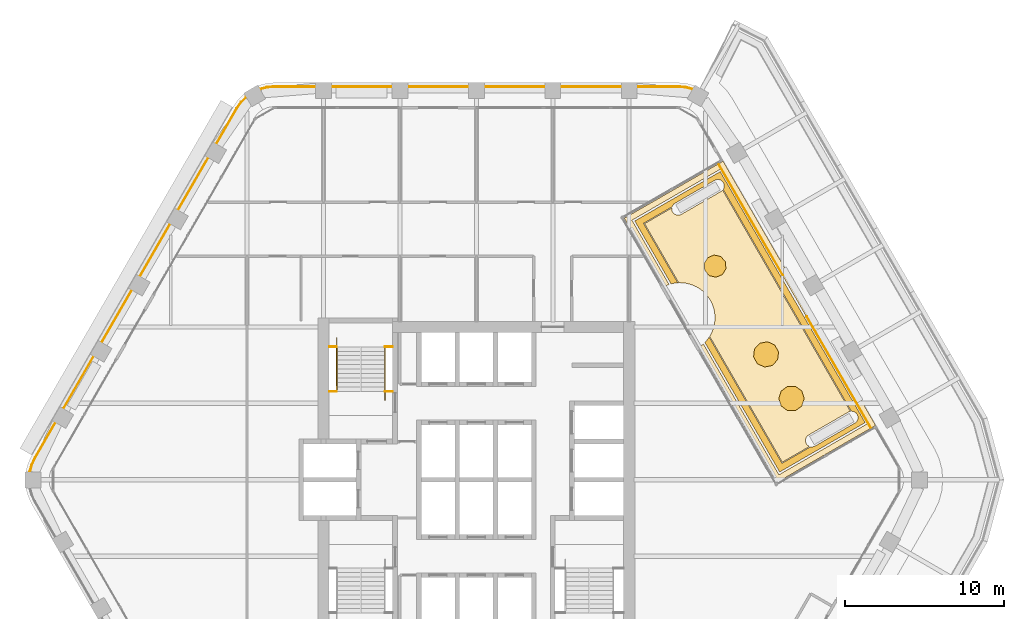
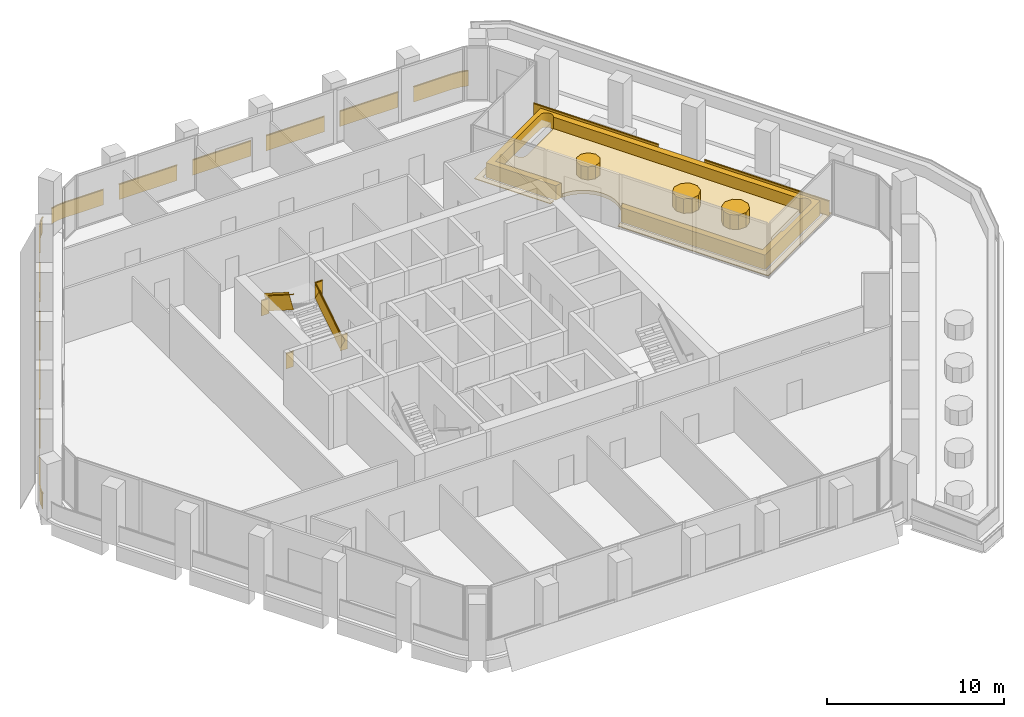
# One storey, part 17 of 17: 6 coverings, 5 railings.
"""IFC4 building model written with IfcOpenShell, lengths in metres."""

from ifc_helpers import new_model, si_unit, direction, frame, frame_2d, origin, origin_2d, place, context, subcontext, project, spatial, polyline, rectangle, outline, extrude, material, layer, layer_set, type_object, element, save


model = new_model("IFC4")

# Units and contexts
model_context = context("Model", 3, precision=1e-05, world=origin(), true_north=direction((0.0, 1.0)))
body_context = subcontext(model_context, "Body", "Model", "MODEL_VIEW")
ifc_project = project(units=[si_unit("LENGTHUNIT", "METRE"), si_unit("AREAUNIT", "SQUARE_METRE"), si_unit("VOLUMEUNIT", "CUBIC_METRE"), si_unit("PLANEANGLEUNIT", "RADIAN"), si_unit("MASSUNIT", "GRAM", prefix="KILO")], contexts=[model_context])

# Site, building, storey
site_placement = place(None, origin())
site = spatial("IfcSite", under=ifc_project, at=site_placement, CompositionType="ELEMENT")
building_placement = place(site_placement, origin())
building = spatial("IfcBuilding", under=site, at=building_placement, Name="Kolab Exchange Tower", CompositionType="ELEMENT")
storey_placement = place(building_placement, frame((0.0, 0.0, 181.699951171875)))
storey = spatial("IfcBuildingStorey", under=building, at=storey_placement, Name="L38", CompositionType="ELEMENT", Elevation=181.699951171875)

# Coverings
ifc_material_1 = material(Name="Flowering shrub planting", Category="soil")
ifc_layer_1 = layer(ifc_material_1, 1.0)
ifc_layer_set_1 = layer_set([ifc_layer_1], Name="Flowering shrub planting")
covering_type_1 = type_object("IfcCoveringType", Name="FLOWERING SHRUB PLANTING", PredefinedType="USERDEFINED", material=ifc_layer_set_1)
covering_1_placement = place(storey_placement, frame((0.0, 0.0, 0.25)))
element("IfcCovering", 1, at=covering_1_placement, inside=storey, type_object=covering_type_1, Name="Flowering shrub", ObjectType="PLANTING", PredefinedType="USERDEFINED", context=body_context, shape_type="SweptSolid", body=[
    extrude(outline(polyline([(20.5927734375, 5.105224609375), (20.43994140625, 5.575439453125), (20.0400390625, 5.8662109375), (19.54541015625, 5.8662109375), (19.1455078125, 5.575439453125), (18.99267578125, 5.105224609375), (19.1455078125, 4.635009765625), (19.54541015625, 4.344482421875), (20.0400390625, 4.344482421875), (20.43994140625, 4.635009765625), (20.5927734375, 5.105224609375)])), origin(), (0.0, 0.0, 1.0), 1.0),
])
covering_2_placement = place(storey_placement, frame((0.0, 0.0, 0.25)))
element("IfcCovering", 2, at=covering_2_placement, inside=storey, type_object=covering_type_1, Name="Flowering shrub", ObjectType="PLANTING", PredefinedType="USERDEFINED", context=body_context, shape_type="SweptSolid", body=[
    extrude(outline(polyline([(18.976806640625, 8.035400390625), (18.733642578125, 8.4658203125), (18.283935546875, 8.671142578125), (17.79931640625, 8.572998046875), (17.465087890625, 8.208740234375), (17.40869140625, 7.717529296875), (17.65185546875, 7.287109375), (18.1015625, 7.081787109375), (18.586181640625, 7.179931640625), (18.92041015625, 7.544189453125), (18.976806640625, 8.035400390625)])), origin(), (0.0, 0.0, 1.0), 1.0),
])

# Railings
ifc_material_2 = material(Name="Stainless steel 316", Category="steel")
railing_type_1 = type_object("IfcRailingType", Name="GUARD 1100", PredefinedType="GUARDRAIL", material=ifc_material_2)
railing_1_placement = place(storey_placement, frame((-9.25, 5.550048828125, 0.0)))
element("IfcRailing", 3, at=railing_1_placement, inside=storey, type_object=railing_type_1, Name="Guard ST1", PredefinedType="GUARDRAIL", context=body_context, shape_type="SweptSolid", body=[
    extrude(rectangle(XDim=0.05, YDim=0.05, at=origin_2d()), frame((0.0, 0.0, 1.0751953125), z_axis=(1.0, 0.0, 0.0), x_axis=(0.0, 1.0, 0.0)), (0.0, 0.0, 1.0), 0.489990234375),
    extrude(rectangle(XDim=0.012, YDim=1.05009765625, at=frame_2d((0.0, 0.525146484375))), frame((0.0, 0.0, 0.0), z_axis=(1.0, 0.0, 0.0), x_axis=(0.0, 1.0, 0.0)), (0.0, 0.0, 1.0), 0.489990234375),
    extrude(rectangle(XDim=0.05, YDim=0.05, at=origin_2d()), frame((3.510009765625, 0.0, 1.0751953125), z_axis=(1.0, 0.0, 0.0), x_axis=(0.0, 1.0, 0.0)), (0.0, 0.0, 1.0), 0.489990234375),
    extrude(rectangle(XDim=0.012, YDim=1.05009765625, at=frame_2d((0.0, 0.525146484375))), frame((3.510009765625, 0.0, 0.0), z_axis=(1.0, 0.0, 0.0), x_axis=(0.0, 1.0, 0.0)), (0.0, 0.0, 1.0), 0.489990234375),
    extrude(rectangle(XDim=0.05, YDim=0.05, at=origin_2d()), frame((0.0, 2.800048828125, 3.025146484375), z_axis=(1.0, 0.0, 0.0), x_axis=(0.0, 1.0, 0.0)), (0.0, 0.0, 1.0), 0.489990234375),
    extrude(rectangle(XDim=0.012, YDim=1.05009765625, at=frame_2d((0.0, 0.525146484375))), frame((0.0, 2.800048828125, 1.949951171875), z_axis=(1.0, 0.0, 0.0), x_axis=(0.0, 1.0, 0.0)), (0.0, 0.0, 1.0), 0.489990234375),
    extrude(rectangle(XDim=0.05, YDim=0.05, at=origin_2d()), frame((3.510009765625, 2.800048828125, 3.025146484375), z_axis=(1.0, 0.0, 0.0), x_axis=(0.0, 1.0, 0.0)), (0.0, 0.0, 1.0), 0.489990234375),
    extrude(rectangle(XDim=0.012, YDim=1.05009765625, at=frame_2d((0.0, 0.525146484375))), frame((3.510009765625, 2.800048828125, 1.949951171875), z_axis=(1.0, 0.0, 0.0), x_axis=(0.0, 1.0, 0.0)), (0.0, 0.0, 1.0), 0.489990234375),
])
railing_2_placement = place(storey_placement, frame((-5.739990234375, 5.550048828125, 0.17724609375)))
element("IfcRailing", 4, at=railing_2_placement, inside=storey, type_object=railing_type_1, Name="Handrail guard ST1", PredefinedType="GUARDRAIL", context=body_context, shape_type="SweptSolid", body=[
    extrude(rectangle(XDim=0.05, YDim=0.05, at=origin_2d()), frame((0.0, 0.0, 1.0751953125), z_axis=(0.0, 0.844908973607, 0.534910110503), x_axis=(-1.0, 0.0, 0.0)), (0.0, 0.0, 1.0), 3.31396484375),
    extrude(rectangle(XDim=0.012, YDim=1.05009765625, at=frame_2d((0.0, 0.525146484375))), frame((0.0, 0.0, 0.0), z_axis=(0.0, 0.844908973607, 0.534910110503), x_axis=(-1.0, 0.0, 0.0)), (0.0, 0.0, 1.0), 3.31396484375),
    extrude(rectangle(XDim=0.05, YDim=0.05, at=origin_2d()), frame((-3.02001953125, 2.800048828125, 3.025390625), z_axis=(0.0, -0.844908973607, 0.534910110503), x_axis=(1.0, 0.0, 0.0)), (0.0, 0.0, 1.0), 3.31396484375),
    extrude(rectangle(XDim=0.012, YDim=1.05009765625, at=frame_2d((0.0, 0.525146484375))), frame((-3.02001953125, 2.800048828125, 1.9501953125), z_axis=(0.0, -0.844908973607, 0.534910110503), x_axis=(1.0, 0.0, 0.0)), (0.0, 0.0, 1.0), 3.31396484375),
])
ifc_material_3 = material(Name="Steel S235", Category="steel")
railing_type_2 = type_object("IfcRailingType", Name="GUARD 1100 GLASS BALUSTRADE AND STEEL TOP RAIL", PredefinedType="GUARDRAIL", material=ifc_material_3)
railing_3_placement = place(storey_placement, frame((13.588623046875, 24.531005859375, 0.0)))
element("IfcRailing", 5, at=railing_3_placement, inside=storey, type_object=railing_type_2, Name="Guard", PredefinedType="GUARDRAIL", context=body_context, shape_type="SweptSolid", body=[
    extrude(rectangle(XDim=0.05, YDim=0.05, at=origin_2d()), frame((0.0, 0.0, 1.0751953125), z_axis=(-0.965969425465, 0.25865627591, 0.0), x_axis=(-0.25865627591, -0.965969425465, 0.0)), (0.0, 0.0, 1.0), 0.458740234375),
    extrude(rectangle(XDim=0.012, YDim=1.05009765625, at=frame_2d((0.0, 0.525146484375))), frame((0.0, 0.0, 0.0), z_axis=(-0.965969425465, 0.25865627591, 0.0), x_axis=(-0.25865627591, -0.965969425465, 0.0)), (0.0, 0.0, 1.0), 0.458740234375),
    extrude(rectangle(XDim=0.05, YDim=0.05, at=origin_2d()), frame((-0.443115234375, 0.11865234375, 1.0751953125), z_axis=(-0.996156034798, 0.087596542937, 0.0), x_axis=(-0.087596542937, -0.996156034798, 0.0)), (0.0, 0.0, 1.0), 0.4794921875),
    extrude(rectangle(XDim=0.012, YDim=1.05009765625, at=frame_2d((0.0, 0.525146484375))), frame((-0.443115234375, 0.11865234375, 0.0), z_axis=(-0.996156034798, 0.087596542937, 0.0), x_axis=(-0.087596542937, -0.996156034798, 0.0)), (0.0, 0.0, 1.0), 0.4794921875),
    extrude(rectangle(XDim=0.05, YDim=0.05, at=origin_2d()), frame((-0.920654296875, 0.16064453125, 1.0751953125), z_axis=(-1.0, 0.0, 0.0), x_axis=(0.0, -1.0, 0.0)), (0.0, 0.0, 1.0), 2.56787109375),
    extrude(rectangle(XDim=0.012, YDim=1.05009765625, at=frame_2d((0.0, 0.525146484375))), frame((-0.920654296875, 0.16064453125, 0.0), z_axis=(-1.0, 0.0, 0.0), x_axis=(0.0, -1.0, 0.0)), (0.0, 0.0, 1.0), 2.56787109375),
    extrude(rectangle(XDim=0.05, YDim=0.05, at=origin_2d()), frame((-4.488525390625, 0.16064453125, 1.0751953125), z_axis=(-1.0, 0.0, 0.0), x_axis=(0.0, -1.0, 0.0)), (0.0, 0.0, 1.0), 3.800048828125),
    extrude(rectangle(XDim=0.012, YDim=1.05009765625, at=frame_2d((0.0, 0.525146484375))), frame((-4.488525390625, 0.16064453125, 0.0), z_axis=(-1.0, 0.0, 0.0), x_axis=(0.0, -1.0, 0.0)), (0.0, 0.0, 1.0), 3.800048828125),
    extrude(rectangle(XDim=0.05, YDim=0.05, at=origin_2d()), frame((-9.28857421875, 0.16064453125, 1.0751953125), z_axis=(-1.0, 0.0, 0.0), x_axis=(0.0, -1.0, 0.0)), (0.0, 0.0, 1.0), 3.800048828125),
    extrude(rectangle(XDim=0.012, YDim=1.05009765625, at=frame_2d((0.0, 0.525146484375))), frame((-9.28857421875, 0.16064453125, 0.0), z_axis=(-1.0, 0.0, 0.0), x_axis=(0.0, -1.0, 0.0)), (0.0, 0.0, 1.0), 3.800048828125),
    extrude(rectangle(XDim=0.05, YDim=0.05, at=origin_2d()), frame((-14.088623046875, 0.16064453125, 1.0751953125), z_axis=(-1.0, 0.0, 0.0), x_axis=(0.0, -1.0, 0.0)), (0.0, 0.0, 1.0), 3.800048828125),
    extrude(rectangle(XDim=0.012, YDim=1.05009765625, at=frame_2d((0.0, 0.525146484375))), frame((-14.088623046875, 0.16064453125, 0.0), z_axis=(-1.0, 0.0, 0.0), x_axis=(0.0, -1.0, 0.0)), (0.0, 0.0, 1.0), 3.800048828125),
    extrude(rectangle(XDim=0.05, YDim=0.05, at=origin_2d()), frame((-18.888671875, 0.16064453125, 1.0751953125), z_axis=(-1.0, 0.0, 0.0), x_axis=(0.0, -1.0, 0.0)), (0.0, 0.0, 1.0), 3.800048828125),
    extrude(rectangle(XDim=0.012, YDim=1.05009765625, at=frame_2d((0.0, 0.525146484375))), frame((-18.888671875, 0.16064453125, 0.0), z_axis=(-1.0, 0.0, 0.0), x_axis=(0.0, -1.0, 0.0)), (0.0, 0.0, 1.0), 3.800048828125),
    extrude(rectangle(XDim=0.05, YDim=0.05, at=origin_2d()), frame((-23.688720703125, 0.16064453125, 1.0751953125), z_axis=(-1.0, 0.0, 0.0), x_axis=(0.0, -1.0, 0.0)), (0.0, 0.0, 1.0), 2.56787109375),
    extrude(rectangle(XDim=0.012, YDim=1.05009765625, at=frame_2d((0.0, 0.525146484375))), frame((-23.688720703125, 0.16064453125, 0.0), z_axis=(-1.0, 0.0, 0.0), x_axis=(0.0, -1.0, 0.0)), (0.0, 0.0, 1.0), 2.56787109375),
    extrude(rectangle(XDim=0.05, YDim=0.05, at=origin_2d()), frame((-26.256591796875, 0.16064453125, 1.0751953125), z_axis=(-0.996156034798, -0.087596542937, 0.0), x_axis=(0.087596542937, -0.996156034798, 0.0)), (0.0, 0.0, 1.0), 0.4794921875),
    extrude(rectangle(XDim=0.012, YDim=1.05009765625, at=frame_2d((0.0, 0.525146484375))), frame((-26.256591796875, 0.16064453125, 0.0), z_axis=(-0.996156034798, -0.087596542937, 0.0), x_axis=(0.087596542937, -0.996156034798, 0.0)), (0.0, 0.0, 1.0), 0.4794921875),
    extrude(rectangle(XDim=0.05, YDim=0.05, at=origin_2d()), frame((-26.734130859375, 0.11865234375, 1.0751953125), z_axis=(-0.965969425465, -0.25865627591, 0.0), x_axis=(0.25865627591, -0.965969425465, 0.0)), (0.0, 0.0, 1.0), 0.458740234375),
    extrude(rectangle(XDim=0.012, YDim=1.05009765625, at=frame_2d((0.0, 0.525146484375))), frame((-26.734130859375, 0.11865234375, 0.0), z_axis=(-0.965969425465, -0.25865627591, 0.0), x_axis=(0.25865627591, -0.965969425465, 0.0)), (0.0, 0.0, 1.0), 0.458740234375),
])
railing_4_placement = place(storey_placement, frame((-14.4501953125, 24.033447265625, 0.0)))
element("IfcRailing", 6, at=railing_4_placement, inside=storey, type_object=railing_type_2, Name="Guard", PredefinedType="GUARDRAIL", context=body_context, shape_type="SweptSolid", body=[
    extrude(rectangle(XDim=0.05, YDim=0.05, at=origin_2d()), frame((0.0, 0.0, 1.0751953125), z_axis=(-0.70737286085, -0.706840601361, 0.0), x_axis=(0.706840601361, -0.70737286085, 0.0)), (0.0, 0.0, 1.0), 0.458740234375),
    extrude(rectangle(XDim=0.012, YDim=1.05009765625, at=frame_2d((0.0, 0.525146484375))), frame((0.0, 0.0, 0.0), z_axis=(-0.70737286085, -0.706840601361, 0.0), x_axis=(0.706840601361, -0.70737286085, 0.0)), (0.0, 0.0, 1.0), 0.458740234375),
    extrude(rectangle(XDim=0.05, YDim=0.05, at=origin_2d()), frame((-0.324462890625, -0.32421875, 1.0751953125), z_axis=(-0.573599091554, -0.819136180478, 0.0), x_axis=(0.819136180478, -0.573599091554, 0.0)), (0.0, 0.0, 1.0), 0.479248046875),
    extrude(rectangle(XDim=0.012, YDim=1.05009765625, at=frame_2d((0.0, 0.525146484375))), frame((-0.324462890625, -0.32421875, 0.0), z_axis=(-0.573599091554, -0.819136180478, 0.0), x_axis=(0.819136180478, -0.573599091554, 0.0)), (0.0, 0.0, 1.0), 0.479248046875),
    extrude(rectangle(XDim=0.05, YDim=0.05, at=origin_2d()), frame((-0.599365234375, -0.716796875, 1.0751953125), z_axis=(-0.499952873616, -0.866052610505, 0.0), x_axis=(0.866052610505, -0.499952873616, 0.0)), (0.0, 0.0, 1.0), 2.568115234375),
    extrude(rectangle(XDim=0.012, YDim=1.05009765625, at=frame_2d((0.0, 0.525146484375))), frame((-0.599365234375, -0.716796875, 0.0), z_axis=(-0.499952873616, -0.866052610505, 0.0), x_axis=(0.866052610505, -0.499952873616, 0.0)), (0.0, 0.0, 1.0), 2.568115234375),
    extrude(rectangle(XDim=0.05, YDim=0.05, at=origin_2d()), frame((-2.38330078125, -3.806884765625, 1.0751953125), z_axis=(-0.499994975061, -0.866028304915, 0.0), x_axis=(0.866028304915, -0.499994975061, 0.0)), (0.0, 0.0, 1.0), 3.7998046875),
    extrude(rectangle(XDim=0.012, YDim=1.05009765625, at=frame_2d((0.0, 0.525146484375))), frame((-2.38330078125, -3.806884765625, 0.0), z_axis=(-0.499994975061, -0.866028304915, 0.0), x_axis=(0.866028304915, -0.499994975061, 0.0)), (0.0, 0.0, 1.0), 3.7998046875),
    extrude(rectangle(XDim=0.05, YDim=0.05, at=origin_2d()), frame((-4.783203125, -7.9638671875, 1.0751953125), z_axis=(-0.500043160704, -0.866000483506, 0.0), x_axis=(0.866000483506, -0.500043160704, 0.0)), (0.0, 0.0, 1.0), 3.800048828125),
    extrude(rectangle(XDim=0.012, YDim=1.05009765625, at=frame_2d((0.0, 0.525146484375))), frame((-4.783203125, -7.9638671875, 0.0), z_axis=(-0.500043160704, -0.866000483506, 0.0), x_axis=(0.866000483506, -0.500043160704, 0.0)), (0.0, 0.0, 1.0), 3.800048828125),
    extrude(rectangle(XDim=0.05, YDim=0.05, at=origin_2d()), frame((-7.183349609375, -12.12060546875, 1.0751953125), z_axis=(-0.499967155389, -0.866044365799, 0.0), x_axis=(0.866044365799, -0.499967155389, 0.0)), (0.0, 0.0, 1.0), 3.800048828125),
    extrude(rectangle(XDim=0.012, YDim=1.05009765625, at=frame_2d((0.0, 0.525146484375))), frame((-7.183349609375, -12.12060546875, 0.0), z_axis=(-0.499967155389, -0.866044365799, 0.0), x_axis=(0.866044365799, -0.499967155389, 0.0)), (0.0, 0.0, 1.0), 3.800048828125),
    extrude(rectangle(XDim=0.05, YDim=0.05, at=origin_2d()), frame((-9.583251953125, -16.277587890625, 1.0751953125), z_axis=(-0.500015340139, -0.86601654697, 0.0), x_axis=(0.86601654697, -0.500015340139, 0.0)), (0.0, 0.0, 1.0), 3.80029296875),
    extrude(rectangle(XDim=0.012, YDim=1.05009765625, at=frame_2d((0.0, 0.525146484375))), frame((-9.583251953125, -16.277587890625, 0.0), z_axis=(-0.500015340139, -0.86601654697, 0.0), x_axis=(0.86601654697, -0.500015340139, 0.0)), (0.0, 0.0, 1.0), 3.80029296875),
    extrude(rectangle(XDim=0.05, YDim=0.05, at=origin_2d()), frame((-11.9833984375, -20.4345703125, 1.0751953125), z_axis=(-0.499994038704, -0.866028845513, 0.0), x_axis=(0.866028845513, -0.499994038704, 0.0)), (0.0, 0.0, 1.0), 2.56787109375),
    extrude(rectangle(XDim=0.012, YDim=1.05009765625, at=frame_2d((0.0, 0.525146484375))), frame((-11.9833984375, -20.4345703125, 0.0), z_axis=(-0.499994038704, -0.866028845513, 0.0), x_axis=(0.866028845513, -0.499994038704, 0.0)), (0.0, 0.0, 1.0), 2.56787109375),
    extrude(rectangle(XDim=0.05, YDim=0.05, at=origin_2d()), frame((-13.267333984375, -22.658447265625, 1.0751953125), z_axis=(-0.422801802984, -0.906222177721, 0.0), x_axis=(0.906222177721, -0.422801802984, 0.0)), (0.0, 0.0, 1.0), 0.479248046875),
    extrude(rectangle(XDim=0.012, YDim=1.05009765625, at=frame_2d((0.0, 0.525146484375))), frame((-13.267333984375, -22.658447265625, 0.0), z_axis=(-0.422801802984, -0.906222177721, 0.0), x_axis=(0.906222177721, -0.422801802984, 0.0)), (0.0, 0.0, 1.0), 0.479248046875),
    extrude(rectangle(XDim=0.05, YDim=0.05, at=origin_2d()), frame((-13.469970703125, -23.0927734375, 1.0751953125), z_axis=(-0.25865627591, -0.965969425465, 0.0), x_axis=(0.965969425465, -0.25865627591, 0.0)), (0.0, 0.0, 1.0), 0.458740234375),
    extrude(rectangle(XDim=0.012, YDim=1.05009765625, at=frame_2d((0.0, 0.525146484375))), frame((-13.469970703125, -23.0927734375, 0.0), z_axis=(-0.25865627591, -0.965969425465, 0.0), x_axis=(0.965969425465, -0.25865627591, 0.0)), (0.0, 0.0, 1.0), 0.458740234375),
])
railing_5_placement = place(storey_placement, frame((15.177734375, 19.894287109375, 0.0)))
element("IfcRailing", 7, at=railing_5_placement, inside=storey, type_object=railing_type_2, Name="Terrace guard", PredefinedType="GUARDRAIL", context=body_context, shape_type="SweptSolid", body=[
    extrude(rectangle(XDim=0.05, YDim=0.05, at=origin_2d()), frame((0.0, 0.0, 1.0751953125), z_axis=(0.500000246922, -0.866025261224, 0.0), x_axis=(0.866025261224, 0.500000246922, 0.0)), (0.0, 0.0, 1.0), 8.14013671875),
    extrude(rectangle(XDim=0.012, YDim=1.05009765625, at=frame_2d((0.0, 0.525146484375))), frame((0.0, 0.0, 0.0), z_axis=(0.500000246922, -0.866025261224, 0.0), x_axis=(0.866025261224, 0.500000246922, 0.0)), (0.0, 0.0, 1.0), 8.14013671875),
    extrude(rectangle(XDim=0.05, YDim=0.05, at=origin_2d()), frame((9.64013671875, -16.697021484375, 1.0751953125), z_axis=(-0.500000246922, 0.866025261224, 0.0), x_axis=(-0.866025261224, -0.500000246922, 0.0)), (0.0, 0.0, 1.0), 8.14013671875),
    extrude(rectangle(XDim=0.012, YDim=1.05009765625, at=frame_2d((0.0, 0.525146484375))), frame((9.64013671875, -16.697021484375, 0.0), z_axis=(-0.500000246922, 0.866025261224, 0.0), x_axis=(-0.866025261224, -0.500000246922, 0.0)), (0.0, 0.0, 1.0), 8.14013671875),
])

# Coverings
ifc_material_4 = material(Name="Dense shrub planting", Category="soil")
ifc_layer_2 = layer(ifc_material_4, 1.39990234375)
ifc_layer_set_2 = layer_set([ifc_layer_2], Name="Dense shrub planting")
covering_type_2 = type_object("IfcCoveringType", Name="PLANTED TRELLIS SCREEN AND SHRUB BED", PredefinedType="USERDEFINED", material=ifc_layer_set_2)
covering_3_placement = place(storey_placement, frame((0.0, 0.0, 0.25)))
element("IfcCovering", 8, at=covering_3_placement, inside=storey, type_object=covering_type_2, Name="Shrub bed", ObjectType="PLANTING", PredefinedType="USERDEFINED", context=body_context, shape_type="SweptSolid", body=[
    extrude(outline(polyline([(15.637451171875, 13.69140625), (15.35400390625, 14.018310546875), (14.9326171875, 14.1162109375), (14.5341796875, 13.94775390625), (14.310791015625, 13.577392578125), (14.347900390625, 13.146240234375), (14.63134765625, 12.8193359375), (15.052734375, 12.721435546875), (15.451171875, 12.889892578125), (15.674560546875, 13.260498046875), (15.637451171875, 13.69140625)])), origin(), (0.0, 0.0, 1.0), 0.900146484375),
])
ifc_material_5 = material(Name="Planting soil and turf", Category="soil")
ifc_layer_3 = layer(ifc_material_5, 0.25)
ifc_layer_set_3 = layer_set([ifc_layer_3], Name="Planting soil and turf")
covering_type_3 = type_object("IfcCoveringType", Name="PLANTING SOIL AND TURF 250", PredefinedType="USERDEFINED", material=ifc_layer_set_3)
covering_4_placement = place(storey_placement, origin())
element("IfcCovering", 9, at=covering_4_placement, inside=storey, type_object=covering_type_3, Name="Planting soil and turf", ObjectType="PLANTING", PredefinedType="USERDEFINED", context=body_context, shape_type="SweptSolid", body=[
    extrude(outline(polyline([(12.2763671875, 17.075927734375), (12.2724609375, 17.04150390625), (12.271728515625, 17.002197265625), (12.27490234375, 16.963134765625), (12.281982421875, 16.924560546875), (12.292724609375, 16.88671875), (12.30712890625, 16.850341796875), (12.3251953125, 16.8154296875), (12.346435546875, 16.782470703125), (12.370849609375, 16.751708984375), (12.39794921875, 16.723388671875), (12.427978515625, 16.697998046875), (12.460205078125, 16.67578125), (12.49462890625, 16.65673828125), (12.530517578125, 16.64111328125), (12.56787109375, 16.62890625), (12.6064453125, 16.62060546875), (12.645263671875, 16.6162109375), (12.6845703125, 16.615478515625), (12.7236328125, 16.618896484375), (12.762451171875, 16.625732421875), (12.800048828125, 16.63671875), (12.836669921875, 16.651123046875), (12.87158203125, 16.6689453125), (15.36572265625, 18.10888671875), (15.398681640625, 18.130126953125), (15.429443359375, 18.154541015625), (15.45751953125, 18.181884765625), (15.467041015625, 18.193115234375), (23.4892578125, 4.29833984375), (23.474853515625, 4.295654296875), (23.43701171875, 4.284912109375), (23.400634765625, 4.2705078125), (23.36572265625, 4.25244140625), (20.87158203125, 2.8125), (20.838623046875, 2.791259765625), (20.807861328125, 2.766845703125), (20.779541015625, 2.739501953125), (20.754150390625, 2.709716796875), (20.73193359375, 2.677490234375), (20.712646484375, 2.64306640625), (20.697021484375, 2.60693359375), (20.68505859375, 2.569580078125), (20.6767578125, 2.53125), (20.67236328125, 2.492431640625), (20.671630859375, 2.453125), (20.6748046875, 2.4140625), (20.681884765625, 2.375244140625), (20.692626953125, 2.337646484375), (20.707275390625, 2.301025390625), (20.72509765625, 2.26611328125), (20.746337890625, 2.233154296875), (20.770751953125, 2.202392578125), (20.798095703125, 2.17431640625), (20.827880859375, 2.14892578125), (20.8603515625, 2.12646484375), (20.89453125, 2.107421875), (20.92626953125, 2.09375), (19.21337890625, 1.104736328125), (14.64892578125, 9.01025390625), (14.7265625, 9.139404296875), (14.81884765625, 9.334716796875), (14.8916015625, 9.537841796875), (14.944091796875, 9.747314453125), (14.9755859375, 9.9609375), (14.986328125, 10.176513671875), (14.9755859375, 10.39208984375), (14.944091796875, 10.605712890625), (14.8916015625, 10.815185546875), (14.81884765625, 11.0185546875), (14.7265625, 11.213623046875), (14.615478515625, 11.398681640625), (14.48681640625, 11.572265625), (14.342041015625, 11.732177734375), (14.181884765625, 11.877197265625), (14.008544921875, 12.005859375), (13.823486328125, 12.11669921875), (13.628173828125, 12.208984375), (13.4248046875, 12.28173828125), (13.215576171875, 12.334228515625), (13.001953125, 12.365966796875), (12.786376953125, 12.37646484375), (12.707763671875, 12.372802734375), (10.563232421875, 16.0869140625), (12.2763671875, 17.075927734375)])), origin(), (0.0, 0.0, 1.0), 0.25),
])
ifc_material_6 = material(Name="Limestone coping", Category="masonry")
ifc_layer_4 = layer(ifc_material_6, 0.050048828125)
ifc_layer_set_4 = layer_set([ifc_layer_4], Name="Limestone coping")
covering_type_4 = type_object("IfcCoveringType", Name="TERRACE EDGE BAND LIMESTONE 50", PredefinedType="CLADDING", material=ifc_layer_set_4)
covering_5_placement = place(storey_placement, origin())
element("IfcCovering", 10, at=covering_5_placement, inside=storey, type_object=covering_type_4, Name="Terrace edge band", PredefinedType="CLADDING", context=body_context, shape_type="SweptSolid", body=[
    extrude(outline(polyline([(25.07373046875, 3.414306640625), (18.872802734375, -0.165771484375), (13.970947265625, 8.32470703125), (14.008544921875, 8.347412109375), (14.181884765625, 8.475830078125), (14.25146484375, 8.538818359375), (19.0009765625, 0.312255859375), (24.595458984375, 3.542236328125), (15.365478515625, 19.529296875), (9.77099609375, 16.299072265625), (12.100341796875, 12.264892578125), (11.9443359375, 12.208984375), (11.774658203125, 12.12890625), (9.29296875, 16.42724609375), (15.49365234375, 20.00732421875), (25.07373046875, 3.414306640625)])), origin(), (0.0, 0.0, 1.0), 0.050048828125),
])
ifc_material_7 = material(Name="Terrace hedge planting", Category="soil")
ifc_layer_5 = layer(ifc_material_7, 1.0)
ifc_layer_set_5 = layer_set([ifc_layer_5], Name="Terrace hedge planting")
covering_type_5 = type_object("IfcCoveringType", Name="TERRACE HEDGE 1000 X 400", PredefinedType="USERDEFINED", material=ifc_layer_set_5)
covering_6_placement = place(storey_placement, origin())
element("IfcCovering", 11, at=covering_6_placement, inside=storey, type_object=covering_type_5, Name="Terrace hedge", ObjectType="PLANTING", PredefinedType="USERDEFINED", context=body_context, shape_type="SweptSolid", body=[
    extrude(outline(polyline([(24.41796875, 3.58984375), (19.048583984375, 0.489990234375), (14.349365234375, 8.629150390625), (14.48681640625, 8.78076171875), (14.615478515625, 8.954345703125), (14.61962890625, 8.961181640625), (19.195068359375, 1.036376953125), (20.992919921875, 2.074462890625), (21.00634765625, 2.071533203125), (21.04541015625, 2.06689453125), (21.08447265625, 2.06640625), (21.123779296875, 2.069580078125), (21.162353515625, 2.07666015625), (21.2001953125, 2.08740234375), (21.236572265625, 2.101806640625), (21.271484375, 2.11962890625), (23.765625, 3.559814453125), (23.798583984375, 3.5810546875), (23.829345703125, 3.60546875), (23.857666015625, 3.6328125), (23.883056640625, 3.66259765625), (23.9052734375, 3.69482421875), (23.92431640625, 3.729248046875), (23.93994140625, 3.76513671875), (23.951904296875, 3.802734375), (23.960205078125, 3.841064453125), (23.96484375, 3.8798828125), (23.96533203125, 3.919189453125), (23.962158203125, 3.958251953125), (23.955322265625, 3.9970703125), (23.9443359375, 4.03466796875), (23.929931640625, 4.0712890625), (23.912109375, 4.106201171875), (23.890869140625, 4.13916015625), (23.866455078125, 4.169921875), (23.839111328125, 4.197998046875), (23.80908203125, 4.223388671875), (23.77685546875, 4.245849609375), (23.74267578125, 4.264892578125), (23.70654296875, 4.280517578125), (23.669189453125, 4.29248046875), (23.630859375, 4.30078125), (23.591796875, 4.30517578125), (23.552490234375, 4.305908203125), (23.543212890625, 4.30517578125), (15.5, 18.236328125), (15.50537109375, 18.244140625), (15.5244140625, 18.278564453125), (15.5400390625, 18.314453125), (15.552001953125, 18.351806640625), (15.560302734375, 18.39013671875), (15.564697265625, 18.42919921875), (15.5654296875, 18.468505859375), (15.562255859375, 18.507568359375), (15.55517578125, 18.546142578125), (15.54443359375, 18.583984375), (15.530029296875, 18.620361328125), (15.511962890625, 18.6552734375), (15.49072265625, 18.6884765625), (15.46630859375, 18.71923828125), (15.439208984375, 18.747314453125), (15.4091796875, 18.772705078125), (15.376953125, 18.795166015625), (15.342529296875, 18.814208984375), (15.306640625, 18.829833984375), (15.269287109375, 18.841796875), (15.230712890625, 18.85009765625), (15.19189453125, 18.8544921875), (15.152587890625, 18.855224609375), (15.113525390625, 18.85205078125), (15.07470703125, 18.844970703125), (15.037109375, 18.834228515625), (15.00048828125, 18.81982421875), (14.965576171875, 18.8017578125), (12.471435546875, 17.36181640625), (12.4384765625, 17.340576171875), (12.40771484375, 17.316162109375), (12.379638671875, 17.288818359375), (12.354248046875, 17.2587890625), (12.331787109375, 17.2265625), (12.312744140625, 17.1923828125), (12.297119140625, 17.15625), (12.29296875, 17.143310546875), (10.4951171875, 16.105224609375), (12.651611328125, 12.369873046875), (12.570556640625, 12.365966796875), (12.357177734375, 12.334228515625), (12.228759765625, 12.30224609375), (9.948486328125, 16.251708984375), (15.31787109375, 19.3515625), (24.41796875, 3.58984375)])), origin(), (0.0, 0.0, 1.0), 1.0),
])

save(model, "model.ifc")
